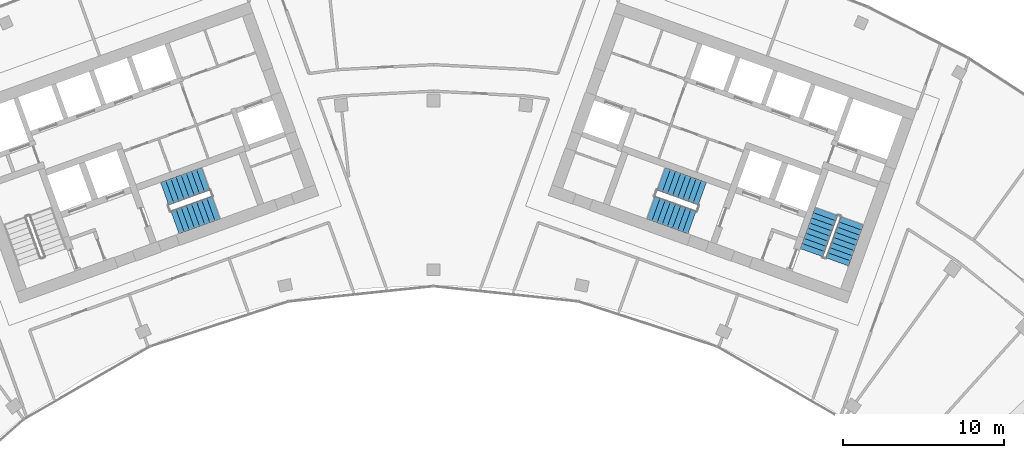
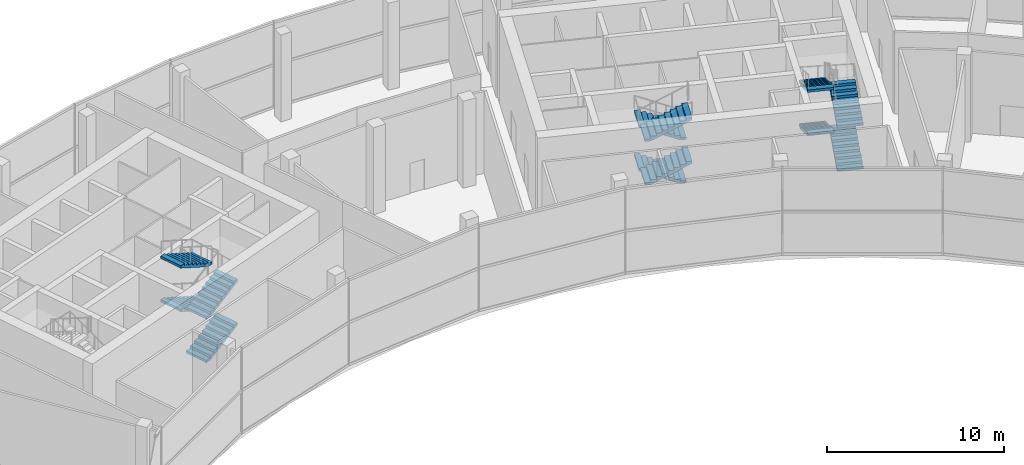
# One storey, part 16 of 18: 12 stair flights, 3 elements without a shape of their own.
"""IFC4 building model written with IfcOpenShell, lengths in metres."""

from ifc_helpers import new_model, si_unit, direction, frame, origin, place, context, subcontext, project, spatial, polyline, outline, extrude, material, type_object, element, aggregate, save


model = new_model("IFC4")

# Units and contexts
model_context = context("Model", 3, precision=1e-05, world=origin(), true_north=direction((0.0, 1.0)))
body_context = subcontext(model_context, "Body", "Model", "MODEL_VIEW")
ifc_project = project(units=[si_unit("LENGTHUNIT", "METRE"), si_unit("AREAUNIT", "SQUARE_METRE"), si_unit("VOLUMEUNIT", "CUBIC_METRE"), si_unit("PLANEANGLEUNIT", "RADIAN"), si_unit("MASSUNIT", "GRAM", prefix="KILO")], contexts=[model_context])

# Site, building, storey
site_placement = place(None, origin())
site = spatial("IfcSite", under=ifc_project, at=site_placement, CompositionType="ELEMENT")
building_placement = place(site_placement, origin())
building = spatial("IfcBuilding", under=site, at=building_placement, Name="Stone Belt Terrace Tower", CompositionType="ELEMENT")
storey_placement = place(building_placement, frame((0.0, 0.0, 307.39990234375)))
storey = spatial("IfcBuildingStorey", under=building, at=storey_placement, Name="L75", CompositionType="ELEMENT", Elevation=307.39990234375)

# Stair, stair flights
ifc_material = material(Name="Concrete B40", Category="concrete")
stair_type = type_object("IfcStairType", Name="Exit stair 1500", PredefinedType="HALF_TURN_STAIR", material=ifc_material)
stair_1_placement = place(storey_placement, origin())
stair_1 = element("IfcStair", 1, at=stair_1_placement, inside=storey, type_object=stair_type, Name="L75 Exit stair 2 core A", PredefinedType="HALF_TURN_STAIR")
stair_flight_type = type_object("IfcStairFlightType", Name="Stair flight 1500", PredefinedType="STRAIGHT", material=ifc_material)
stair_flight_1_placement = place(storey_placement, frame((-16.101318359375, 47.39794921875, 0.0), z_axis=(0.0, 0.0, 1.0), x_axis=(0.940921632398, 0.338624396177, 0.0)))
stair_flight_1 = element("IfcStairFlight", 2, at=stair_flight_1_placement, type_object=stair_flight_type, Name="ST2A flight 1", NumberOfRisers=9, NumberOfTreads=8, PredefinedType="STRAIGHT", RiserHeight=0.166666667, TreadLength=0.34, context=body_context, shape_type="SweptSolid", body=[
    extrude(outline(polyline([(0.0, 0.0), (0.0, 0.166748046875), (0.340087890625, 0.166748046875), (0.340087890625, 0.333251953125), (0.679931640625, 0.333251953125), (0.679931640625, 0.5), (1.02001953125, 0.5), (1.02001953125, 0.666748046875), (1.360107421875, 0.666748046875), (1.360107421875, 0.833251953125), (1.699951171875, 0.833251953125), (1.699951171875, 1.0), (2.0400390625, 1.0), (2.0400390625, 1.166748046875), (2.3798828125, 1.166748046875), (2.3798828125, 1.333251953125), (2.719970703125, 1.333251953125), (2.719970703125, 1.5), (2.719970703125, 1.16650390625), (0.340576171875, 0.0), (0.0, 0.0)])), frame((0.0, 0.75, 0.0), z_axis=(0.0, -1.0, 0.0), x_axis=(1.0, 0.0, 0.0)), (0.0, 0.0, 1.0), 1.5),
])
stair_flight_2_placement = place(storey_placement, frame((-14.185302734375, 50.106689453125, 1.5), z_axis=(0.0, 0.0, 1.0), x_axis=(-0.940921632398, -0.338624396177, 0.0)))
stair_flight_2 = element("IfcStairFlight", 3, at=stair_flight_2_placement, type_object=stair_flight_type, Name="ST2A flight 2", NumberOfRisers=9, NumberOfTreads=8, PredefinedType="STRAIGHT", RiserHeight=0.166666667, TreadLength=0.34, context=body_context, shape_type="SweptSolid", body=[
    extrude(outline(polyline([(0.0, 0.0), (0.0, 0.166748046875), (0.340087890625, 0.166748046875), (0.340087890625, 0.333251953125), (0.679931640625, 0.333251953125), (0.679931640625, 0.5), (1.02001953125, 0.5), (1.02001953125, 0.666748046875), (1.360107421875, 0.666748046875), (1.360107421875, 0.833251953125), (1.699951171875, 0.833251953125), (1.699951171875, 1.0), (2.0400390625, 1.0), (2.0400390625, 1.166748046875), (2.3798828125, 1.166748046875), (2.3798828125, 1.333251953125), (2.719970703125, 1.333251953125), (2.719970703125, 1.5), (2.719970703125, 1.16650390625), (0.340576171875, 0.0), (0.0, 0.0)])), frame((0.0, 0.75, 0.0), z_axis=(0.0, -1.0, 0.0), x_axis=(1.0, 0.0, 0.0)), (0.0, 0.0, 1.0), 1.5),
])
stair_flight_3_placement = place(storey_placement, frame((-16.101318359375, 47.39794921875, 3.0), z_axis=(0.0, 0.0, 1.0), x_axis=(0.940921632398, 0.338624396177, 0.0)))
stair_flight_3 = element("IfcStairFlight", 4, at=stair_flight_3_placement, type_object=stair_flight_type, Name="ST2A flight 3", NumberOfRisers=9, NumberOfTreads=8, PredefinedType="STRAIGHT", RiserHeight=0.166666667, TreadLength=0.34, context=body_context, shape_type="SweptSolid", body=[
    extrude(outline(polyline([(0.0, 0.0), (0.0, 0.166748046875), (0.340087890625, 0.166748046875), (0.340087890625, 0.333251953125), (0.679931640625, 0.333251953125), (0.679931640625, 0.5), (1.02001953125, 0.5), (1.02001953125, 0.666748046875), (1.360107421875, 0.666748046875), (1.360107421875, 0.833251953125), (1.699951171875, 0.833251953125), (1.699951171875, 1.0), (2.0400390625, 1.0), (2.0400390625, 1.166748046875), (2.3798828125, 1.166748046875), (2.3798828125, 1.333251953125), (2.719970703125, 1.333251953125), (2.719970703125, 1.5), (2.719970703125, 1.16650390625), (0.340576171875, 0.0), (0.0, 0.0)])), frame((0.0, 0.75, 0.0), z_axis=(0.0, -1.0, 0.0), x_axis=(1.0, 0.0, 0.0)), (0.0, 0.0, 1.0), 1.5),
])
stair_flight_4_placement = place(storey_placement, frame((-14.185302734375, 50.106689453125, 4.5), z_axis=(0.0, 0.0, 1.0), x_axis=(-0.940921632398, -0.338624396177, 0.0)))
stair_flight_4 = element("IfcStairFlight", 5, at=stair_flight_4_placement, type_object=stair_flight_type, Name="ST2A flight 4", NumberOfRisers=9, NumberOfTreads=8, PredefinedType="STRAIGHT", RiserHeight=0.166666667, TreadLength=0.34, context=body_context, shape_type="SweptSolid", body=[
    extrude(outline(polyline([(0.0, 0.0), (0.0, 0.166748046875), (0.340087890625, 0.166748046875), (0.340087890625, 0.333251953125), (0.679931640625, 0.333251953125), (0.679931640625, 0.5), (1.02001953125, 0.5), (1.02001953125, 0.666748046875), (1.360107421875, 0.666748046875), (1.360107421875, 0.833251953125), (1.699951171875, 0.833251953125), (1.699951171875, 1.0), (2.0400390625, 1.0), (2.0400390625, 1.166748046875), (2.3798828125, 1.166748046875), (2.3798828125, 1.333251953125), (2.719970703125, 1.333251953125), (2.719970703125, 1.5), (2.719970703125, 1.16650390625), (0.340576171875, 0.0), (0.0, 0.0)])), frame((0.0, 0.75, 0.0), z_axis=(0.0, -1.0, 0.0), x_axis=(1.0, 0.0, 0.0)), (0.0, 0.0, 1.0), 1.5),
])
aggregate(stair_1, [stair_flight_1, stair_flight_2, stair_flight_3, stair_flight_4])

stair_2_placement = place(storey_placement, origin())
stair_2 = element("IfcStair", 6, at=stair_2_placement, inside=storey, type_object=stair_type, Name="L75 Exit stair 1 core B", PredefinedType="HALF_TURN_STAIR")
stair_flight_5_placement = place(storey_placement, frame((25.15283203125, 44.9375, 0.0), z_axis=(0.0, 0.0, 1.0), x_axis=(0.338624396177, 0.940921632398, 0.0)))
stair_flight_5 = element("IfcStairFlight", 7, at=stair_flight_5_placement, type_object=stair_flight_type, Name="ST1B flight 1", NumberOfRisers=9, NumberOfTreads=8, PredefinedType="STRAIGHT", RiserHeight=0.166666667, TreadLength=0.34, context=body_context, shape_type="SweptSolid", body=[
    extrude(outline(polyline([(0.0, 0.0), (0.0, 0.166748046875), (0.340087890625, 0.166748046875), (0.340087890625, 0.333251953125), (0.679931640625, 0.333251953125), (0.679931640625, 0.5), (1.02001953125, 0.5), (1.02001953125, 0.666748046875), (1.360107421875, 0.666748046875), (1.360107421875, 0.833251953125), (1.699951171875, 0.833251953125), (1.699951171875, 1.0), (2.0400390625, 1.0), (2.0400390625, 1.166748046875), (2.3798828125, 1.166748046875), (2.3798828125, 1.333251953125), (2.719970703125, 1.333251953125), (2.719970703125, 1.5), (2.719970703125, 1.16650390625), (0.340576171875, 0.0), (0.0, 0.0)])), frame((0.0, 0.75, 0.0), z_axis=(0.0, -1.0, 0.0), x_axis=(1.0, 0.0, 0.0)), (0.0, 0.0, 1.0), 1.5),
])
stair_flight_6_placement = place(storey_placement, frame((24.474365234375, 48.072509765625, 1.5), z_axis=(0.0, 0.0, 1.0), x_axis=(-0.338624396177, -0.940921632398, 0.0)))
stair_flight_6 = element("IfcStairFlight", 8, at=stair_flight_6_placement, type_object=stair_flight_type, Name="ST1B flight 2", NumberOfRisers=9, NumberOfTreads=8, PredefinedType="STRAIGHT", RiserHeight=0.166666667, TreadLength=0.34, context=body_context, shape_type="SweptSolid", body=[
    extrude(outline(polyline([(0.0, 0.0), (0.0, 0.166748046875), (0.340087890625, 0.166748046875), (0.340087890625, 0.333251953125), (0.679931640625, 0.333251953125), (0.679931640625, 0.5), (1.02001953125, 0.5), (1.02001953125, 0.666748046875), (1.360107421875, 0.666748046875), (1.360107421875, 0.833251953125), (1.699951171875, 0.833251953125), (1.699951171875, 1.0), (2.0400390625, 1.0), (2.0400390625, 1.166748046875), (2.3798828125, 1.166748046875), (2.3798828125, 1.333251953125), (2.719970703125, 1.333251953125), (2.719970703125, 1.5), (2.719970703125, 1.16650390625), (0.340576171875, 0.0), (0.0, 0.0)])), frame((0.0, 0.75, 0.0), z_axis=(0.0, -1.0, 0.0), x_axis=(1.0, 0.0, 0.0)), (0.0, 0.0, 1.0), 1.5),
])
stair_flight_7_placement = place(storey_placement, frame((25.15283203125, 44.9375, 3.0), z_axis=(0.0, 0.0, 1.0), x_axis=(0.338624396177, 0.940921632398, 0.0)))
stair_flight_7 = element("IfcStairFlight", 9, at=stair_flight_7_placement, type_object=stair_flight_type, Name="ST1B flight 3", NumberOfRisers=9, NumberOfTreads=8, PredefinedType="STRAIGHT", RiserHeight=0.166666667, TreadLength=0.34, context=body_context, shape_type="SweptSolid", body=[
    extrude(outline(polyline([(0.0, 0.0), (0.0, 0.166748046875), (0.340087890625, 0.166748046875), (0.340087890625, 0.333251953125), (0.679931640625, 0.333251953125), (0.679931640625, 0.5), (1.02001953125, 0.5), (1.02001953125, 0.666748046875), (1.360107421875, 0.666748046875), (1.360107421875, 0.833251953125), (1.699951171875, 0.833251953125), (1.699951171875, 1.0), (2.0400390625, 1.0), (2.0400390625, 1.166748046875), (2.3798828125, 1.166748046875), (2.3798828125, 1.333251953125), (2.719970703125, 1.333251953125), (2.719970703125, 1.5), (2.719970703125, 1.16650390625), (0.340576171875, 0.0), (0.0, 0.0)])), frame((0.0, 0.75, 0.0), z_axis=(0.0, -1.0, 0.0), x_axis=(1.0, 0.0, 0.0)), (0.0, 0.0, 1.0), 1.5),
])
stair_flight_8_placement = place(storey_placement, frame((24.474365234375, 48.072509765625, 4.5), z_axis=(0.0, 0.0, 1.0), x_axis=(-0.338624396177, -0.940921632398, 0.0)))
stair_flight_8 = element("IfcStairFlight", 10, at=stair_flight_8_placement, type_object=stair_flight_type, Name="ST1B flight 4", NumberOfRisers=9, NumberOfTreads=8, PredefinedType="STRAIGHT", RiserHeight=0.166666667, TreadLength=0.34, context=body_context, shape_type="SweptSolid", body=[
    extrude(outline(polyline([(0.0, 0.0), (0.0, 0.166748046875), (0.340087890625, 0.166748046875), (0.340087890625, 0.333251953125), (0.679931640625, 0.333251953125), (0.679931640625, 0.5), (1.02001953125, 0.5), (1.02001953125, 0.666748046875), (1.360107421875, 0.666748046875), (1.360107421875, 0.833251953125), (1.699951171875, 0.833251953125), (1.699951171875, 1.0), (2.0400390625, 1.0), (2.0400390625, 1.166748046875), (2.3798828125, 1.166748046875), (2.3798828125, 1.333251953125), (2.719970703125, 1.333251953125), (2.719970703125, 1.5), (2.719970703125, 1.16650390625), (0.340576171875, 0.0), (0.0, 0.0)])), frame((0.0, 0.75, 0.0), z_axis=(0.0, -1.0, 0.0), x_axis=(1.0, 0.0, 0.0)), (0.0, 0.0, 1.0), 1.5),
])
aggregate(stair_2, [stair_flight_5, stair_flight_6, stair_flight_7, stair_flight_8])

stair_3_placement = place(storey_placement, origin())
stair_3 = element("IfcStair", 11, at=stair_3_placement, inside=storey, type_object=stair_type, Name="L75 Exit stair 2 core B", PredefinedType="HALF_TURN_STAIR")
stair_flight_9_placement = place(storey_placement, frame((16.74462890625, 49.185546875, 0.0), z_axis=(0.0, 0.0, 1.0), x_axis=(-0.940921632398, 0.338624396177, 0.0)))
stair_flight_9 = element("IfcStairFlight", 12, at=stair_flight_9_placement, type_object=stair_flight_type, Name="ST2B flight 1", NumberOfRisers=9, NumberOfTreads=8, PredefinedType="STRAIGHT", RiserHeight=0.166666667, TreadLength=0.34, context=body_context, shape_type="SweptSolid", body=[
    extrude(outline(polyline([(0.0, 0.0), (0.0, 0.166748046875), (0.340087890625, 0.166748046875), (0.340087890625, 0.333251953125), (0.679931640625, 0.333251953125), (0.679931640625, 0.5), (1.02001953125, 0.5), (1.02001953125, 0.666748046875), (1.360107421875, 0.666748046875), (1.360107421875, 0.833251953125), (1.699951171875, 0.833251953125), (1.699951171875, 1.0), (2.0400390625, 1.0), (2.0400390625, 1.166748046875), (2.3798828125, 1.166748046875), (2.3798828125, 1.333251953125), (2.719970703125, 1.333251953125), (2.719970703125, 1.5), (2.719970703125, 1.16650390625), (0.340576171875, 0.0), (0.0, 0.0)])), frame((0.0, 0.75, 0.0), z_axis=(0.0, -1.0, 0.0), x_axis=(1.0, 0.0, 0.0)), (0.0, 0.0, 1.0), 1.5),
])
stair_flight_10_placement = place(storey_placement, frame((13.5419921875, 48.31884765625, 1.5), z_axis=(0.0, 0.0, 1.0), x_axis=(0.940921632398, -0.338624396177, 0.0)))
stair_flight_10 = element("IfcStairFlight", 13, at=stair_flight_10_placement, type_object=stair_flight_type, Name="ST2B flight 2", NumberOfRisers=9, NumberOfTreads=8, PredefinedType="STRAIGHT", RiserHeight=0.166666667, TreadLength=0.34, context=body_context, shape_type="SweptSolid", body=[
    extrude(outline(polyline([(0.0, 0.0), (0.0, 0.166748046875), (0.340087890625, 0.166748046875), (0.340087890625, 0.333251953125), (0.679931640625, 0.333251953125), (0.679931640625, 0.5), (1.02001953125, 0.5), (1.02001953125, 0.666748046875), (1.360107421875, 0.666748046875), (1.360107421875, 0.833251953125), (1.699951171875, 0.833251953125), (1.699951171875, 1.0), (2.0400390625, 1.0), (2.0400390625, 1.166748046875), (2.3798828125, 1.166748046875), (2.3798828125, 1.333251953125), (2.719970703125, 1.333251953125), (2.719970703125, 1.5), (2.719970703125, 1.16650390625), (0.340576171875, 0.0), (0.0, 0.0)])), frame((0.0, 0.75, 0.0), z_axis=(0.0, -1.0, 0.0), x_axis=(1.0, 0.0, 0.0)), (0.0, 0.0, 1.0), 1.5),
])
stair_flight_11_placement = place(storey_placement, frame((16.74462890625, 49.185546875, 3.0), z_axis=(0.0, 0.0, 1.0), x_axis=(-0.940921632398, 0.338624396177, 0.0)))
stair_flight_11 = element("IfcStairFlight", 14, at=stair_flight_11_placement, type_object=stair_flight_type, Name="ST2B flight 3", NumberOfRisers=9, NumberOfTreads=8, PredefinedType="STRAIGHT", RiserHeight=0.166666667, TreadLength=0.34, context=body_context, shape_type="SweptSolid", body=[
    extrude(outline(polyline([(0.0, 0.0), (0.0, 0.166748046875), (0.340087890625, 0.166748046875), (0.340087890625, 0.333251953125), (0.679931640625, 0.333251953125), (0.679931640625, 0.5), (1.02001953125, 0.5), (1.02001953125, 0.666748046875), (1.360107421875, 0.666748046875), (1.360107421875, 0.833251953125), (1.699951171875, 0.833251953125), (1.699951171875, 1.0), (2.0400390625, 1.0), (2.0400390625, 1.166748046875), (2.3798828125, 1.166748046875), (2.3798828125, 1.333251953125), (2.719970703125, 1.333251953125), (2.719970703125, 1.5), (2.719970703125, 1.16650390625), (0.340576171875, 0.0), (0.0, 0.0)])), frame((0.0, 0.75, 0.0), z_axis=(0.0, -1.0, 0.0), x_axis=(1.0, 0.0, 0.0)), (0.0, 0.0, 1.0), 1.5),
])
stair_flight_12_placement = place(storey_placement, frame((13.5419921875, 48.31884765625, 4.5), z_axis=(0.0, 0.0, 1.0), x_axis=(0.940921632398, -0.338624396177, 0.0)))
stair_flight_12 = element("IfcStairFlight", 15, at=stair_flight_12_placement, type_object=stair_flight_type, Name="ST2B flight 4", NumberOfRisers=9, NumberOfTreads=8, PredefinedType="STRAIGHT", RiserHeight=0.166666667, TreadLength=0.34, context=body_context, shape_type="SweptSolid", body=[
    extrude(outline(polyline([(0.0, 0.0), (0.0, 0.166748046875), (0.340087890625, 0.166748046875), (0.340087890625, 0.333251953125), (0.679931640625, 0.333251953125), (0.679931640625, 0.5), (1.02001953125, 0.5), (1.02001953125, 0.666748046875), (1.360107421875, 0.666748046875), (1.360107421875, 0.833251953125), (1.699951171875, 0.833251953125), (1.699951171875, 1.0), (2.0400390625, 1.0), (2.0400390625, 1.166748046875), (2.3798828125, 1.166748046875), (2.3798828125, 1.333251953125), (2.719970703125, 1.333251953125), (2.719970703125, 1.5), (2.719970703125, 1.16650390625), (0.340576171875, 0.0), (0.0, 0.0)])), frame((0.0, 0.75, 0.0), z_axis=(0.0, -1.0, 0.0), x_axis=(1.0, 0.0, 0.0)), (0.0, 0.0, 1.0), 1.5),
])
aggregate(stair_3, [stair_flight_9, stair_flight_10, stair_flight_11, stair_flight_12])

save(model, "model.ifc")
